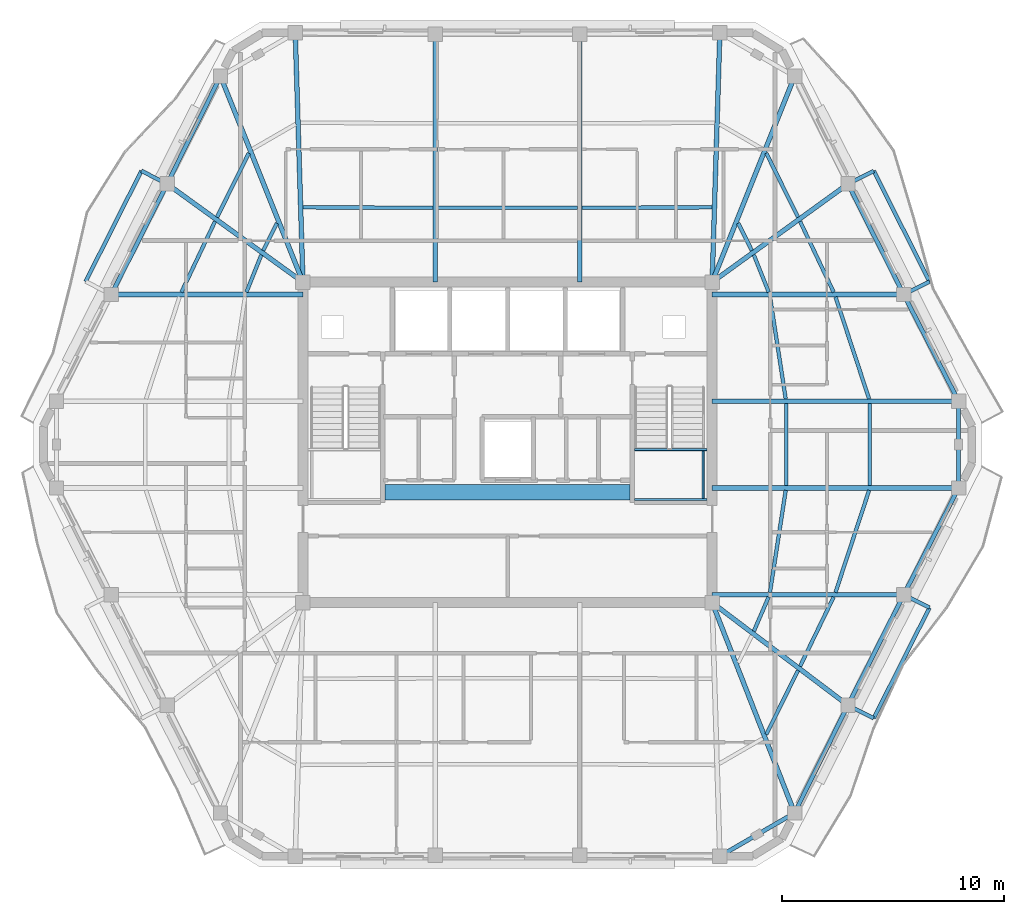
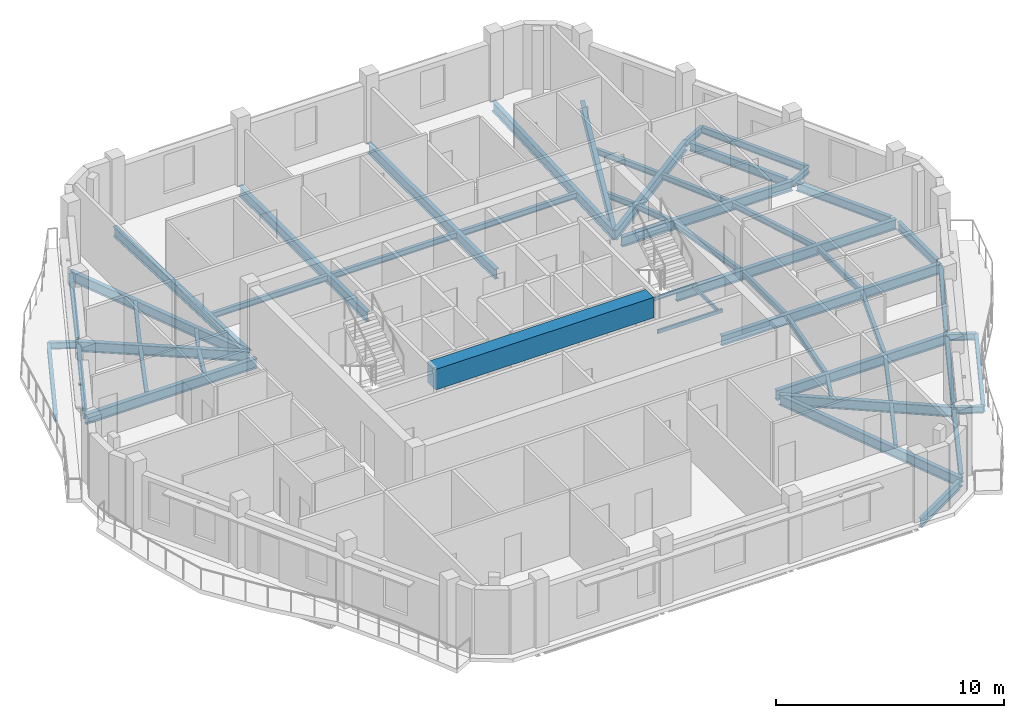
# One storey, part 2 of 11: 56 beams.
"""IFC4 building model written with IfcOpenShell, lengths in metres."""

from ifc_helpers import new_model, si_unit, direction, frame, origin, origin_2d, place, context, subcontext, project, spatial, rectangle, hollow_rectangle, i_section, extrude, material, material_profile, profile_set, type_object, element, save


model = new_model("IFC4")

# Units and contexts
model_context = context("Model", 3, precision=1e-05, world=origin(), true_north=direction((0.0, 1.0)))
body_context = subcontext(model_context, "Body", "Model", "MODEL_VIEW")
ifc_project = project(units=[si_unit("LENGTHUNIT", "METRE"), si_unit("AREAUNIT", "SQUARE_METRE"), si_unit("VOLUMEUNIT", "CUBIC_METRE"), si_unit("PLANEANGLEUNIT", "RADIAN"), si_unit("MASSUNIT", "GRAM", prefix="KILO")], contexts=[model_context])

# Site, building, storey
site_placement = place(None, origin())
site = spatial("IfcSite", under=ifc_project, at=site_placement, CompositionType="ELEMENT")
building_placement = place(site_placement, origin())
building = spatial("IfcBuilding", under=site, at=building_placement, Name="Cinnabar Lancet Tower", CompositionType="ELEMENT")
storey_placement = place(building_placement, frame((0.0, 0.0, 259.85009765625)))
storey = spatial("IfcBuildingStorey", under=building, at=storey_placement, Name="L69", CompositionType="ELEMENT", Elevation=259.85009765625)

# Beams
ifc_material_1 = material(Name="Concrete C70/85", Category="concrete")
ifc_material_profile_1 = material_profile(ifc_material_1, rectangle(XDim=0.699951171875, YDim=1.10009765625, at=origin_2d()), Name="RC-CB 700x1100")
ifc_profile_set_1 = profile_set([ifc_material_profile_1], Name="Concrete C70/85")
beam_type_1 = type_object("IfcBeamType", Name="STR-BM-CB-1100", PredefinedType="BEAM", material=ifc_profile_set_1)
beam_1_placement = place(storey_placement, frame((26.8798828125, 23.64990234375, 2.89990234375), z_axis=(1.0, 0.0, 0.0), x_axis=(0.0, 1.0, 0.0)))
element("IfcBeam", 1, at=beam_1_placement, inside=storey, type_object=beam_type_1, Name="L69 Core Coupling Beam", PredefinedType="BEAM", context=body_context, shape_type="SweptSolid", body=[
    extrude(rectangle(XDim=0.699951171875, YDim=1.10009765625, at=origin_2d()), origin(), (0.0, 0.0, 1.0), 11.0400390625),
])
ifc_material_2 = material(Name="Structural steel S355", Category="steel")
ifc_material_profile_2 = material_profile(ifc_material_2, i_section(OverallWidth=0.1650390625, OverallDepth=0.303466796875, WebThickness=0.006103515625, FlangeThickness=0.01025390625, FilletRadius=0.0087890625, at=origin_2d()), Name="UKB 305x165x40")
ifc_profile_set_2 = profile_set([ifc_material_profile_2], Name="Structural steel S355")
beam_type_2 = type_object("IfcBeamType", Name="STR-BM-JST-305", PredefinedType="JOIST", material=ifc_profile_set_2)
beam_2_placement = place(storey_placement, frame((44.06591796875, 12.73193359375, -0.35205078125), z_axis=(0.444391284604, 0.895832789179, 0.0), x_axis=(-0.895832789179, 0.444391284604, 0.0)))
element("IfcBeam", 2, at=beam_2_placement, inside=storey, type_object=beam_type_2, Name="L69 Secondary Floor Joist 15", PredefinedType="JOIST", context=body_context, shape_type="SweptSolid", body=[
    extrude(i_section(OverallWidth=0.1650390625, OverallDepth=0.303466796875, WebThickness=0.006103515625, FlangeThickness=0.01025390625, FilletRadius=0.0087890625, at=origin_2d()), origin(), (0.0, 0.0, 1.0), 3.220458984375),
])
beam_3_placement = place(storey_placement, frame((45.591064453125, 15.80810546875, -0.35205078125), z_axis=(0.43610936109, 0.899893674369, 0.0), x_axis=(-0.899893674369, 0.43610936109, 0.0)))
element("IfcBeam", 3, at=beam_3_placement, inside=storey, type_object=beam_type_2, Name="L69 Secondary Floor Joist 17", PredefinedType="JOIST", context=body_context, shape_type="SweptSolid", body=[
    extrude(i_section(OverallWidth=0.1650390625, OverallDepth=0.303466796875, WebThickness=0.006103515625, FlangeThickness=0.01025390625, FilletRadius=0.0087890625, at=origin_2d()), origin(), (0.0, 0.0, 1.0), 3.467041015625),
])
beam_4_placement = place(storey_placement, frame((43.5048828125, 17.385009765625, -0.35205078125), z_axis=(0.396302440144, 0.91812002262, 0.0), x_axis=(-0.91812002262, 0.396302440144, 0.0)))
element("IfcBeam", 4, at=beam_4_placement, inside=storey, type_object=beam_type_2, Name="L69 Secondary Floor Joist 18", PredefinedType="JOIST", context=body_context, shape_type="SweptSolid", body=[
    extrude(i_section(OverallWidth=0.1650390625, OverallDepth=0.303466796875, WebThickness=0.006103515625, FlangeThickness=0.01025390625, FilletRadius=0.0087890625, at=origin_2d()), origin(), (0.0, 0.0, 1.0), 1.6806640625),
])
beam_5_placement = place(storey_placement, frame((47.18798828125, 19.137939453125, -0.35205078125), z_axis=(0.312491145371, 0.949920672512, 0.0), x_axis=(-0.949920672512, 0.312491145371, 0.0)))
element("IfcBeam", 5, at=beam_5_placement, inside=storey, type_object=beam_type_2, Name="L69 Secondary Floor Joist 19", PredefinedType="JOIST", context=body_context, shape_type="SweptSolid", body=[
    extrude(i_section(OverallWidth=0.1650390625, OverallDepth=0.303466796875, WebThickness=0.006103515625, FlangeThickness=0.01025390625, FilletRadius=0.0087890625, at=origin_2d()), origin(), (0.0, 0.0, 1.0), 4.8447265625),
])
beam_6_placement = place(storey_placement, frame((44.23291015625, 19.137939453125, -0.35205078125), z_axis=(0.152262059154, 0.988340156698, 0.0), x_axis=(-0.988340156698, 0.152262059154, 0.0)))
element("IfcBeam", 6, at=beam_6_placement, inside=storey, type_object=beam_type_2, Name="L69 Secondary Floor Joist 20", PredefinedType="JOIST", context=body_context, shape_type="SweptSolid", body=[
    extrude(i_section(OverallWidth=0.1650390625, OverallDepth=0.303466796875, WebThickness=0.006103515625, FlangeThickness=0.01025390625, FilletRadius=0.0087890625, at=origin_2d()), origin(), (0.0, 0.0, 1.0), 4.65625),
])
for number, where, z_axis, x_axis, name in (
    (7, (48.737060546875, 23.949951171875, -0.35205078125), (0.0, 1.0, 0.0), (-1.0, 0.0, 0.0), "L69 Secondary Floor Joist 21"),
    (8, (44.958984375, 23.949951171875, -0.35205078125), (0.0, 1.0, 0.0), (-1.0, 0.0, 0.0), "L69 Secondary Floor Joist 22"),
):
    element("IfcBeam", number, at=place(storey_placement, frame(where, z_axis=z_axis, x_axis=x_axis)), inside=storey, type_object=beam_type_2, Name=name, PredefinedType="JOIST", context=body_context, shape_type="SweptSolid", body=[
        extrude(i_section(OverallWidth=0.1650390625, OverallDepth=0.303466796875, WebThickness=0.006103515625, FlangeThickness=0.01025390625, FilletRadius=0.0087890625, at=origin_2d()), origin(), (0.0, 0.0, 1.0), 3.699951171875),
    ])
beam_7_placement = place(storey_placement, frame((48.701904296875, 27.860107421875, -0.35205078125), z_axis=(-0.312506104996, 0.94991575118, 0.0), x_axis=(-0.94991575118, -0.312506104996, 0.0)))
element("IfcBeam", 9, at=beam_7_placement, inside=storey, type_object=beam_type_2, Name="L69 Secondary Floor Joist 23", PredefinedType="JOIST", context=body_context, shape_type="SweptSolid", body=[
    extrude(i_section(OverallWidth=0.1650390625, OverallDepth=0.303466796875, WebThickness=0.006103515625, FlangeThickness=0.01025390625, FilletRadius=0.0087890625, at=origin_2d()), origin(), (0.0, 0.0, 1.0), 4.844482421875),
])
beam_8_placement = place(storey_placement, frame((44.94189453125, 27.860107421875, -0.35205078125), z_axis=(-0.152269949853, 0.988338941038, 0.0), x_axis=(-0.988338941038, -0.152269949853, 0.0)))
element("IfcBeam", 10, at=beam_8_placement, inside=storey, type_object=beam_type_2, Name="L69 Secondary Floor Joist 24", PredefinedType="JOIST", context=body_context, shape_type="SweptSolid", body=[
    extrude(i_section(OverallWidth=0.1650390625, OverallDepth=0.303466796875, WebThickness=0.006103515625, FlangeThickness=0.01025390625, FilletRadius=0.0087890625, at=origin_2d()), origin(), (0.0, 0.0, 1.0), 4.656005859375),
])
beam_9_placement = place(storey_placement, frame((47.10400390625, 32.672119140625, -0.35205078125), z_axis=(-0.428647868514, 0.903471640296, 0.0), x_axis=(-0.903471640296, -0.428647868514, 0.0)))
element("IfcBeam", 11, at=beam_9_placement, inside=storey, type_object=beam_type_2, Name="L69 Secondary Floor Joist 25", PredefinedType="JOIST", context=body_context, shape_type="SweptSolid", body=[
    extrude(i_section(OverallWidth=0.1650390625, OverallDepth=0.303466796875, WebThickness=0.006103515625, FlangeThickness=0.01025390625, FilletRadius=0.0087890625, at=origin_2d()), origin(), (0.0, 0.0, 1.0), 3.53173828125),
])
beam_10_placement = place(storey_placement, frame((44.175048828125, 32.672119140625, -0.35205078125), z_axis=(-0.37155332079, 0.928411616585, 0.0), x_axis=(-0.928411616585, -0.37155332079, 0.0)))
element("IfcBeam", 12, at=beam_10_placement, inside=storey, type_object=beam_type_2, Name="L69 Secondary Floor Joist 26", PredefinedType="JOIST", context=body_context, shape_type="SweptSolid", body=[
    extrude(i_section(OverallWidth=0.1650390625, OverallDepth=0.303466796875, WebThickness=0.006103515625, FlangeThickness=0.01025390625, FilletRadius=0.0087890625, at=origin_2d()), origin(), (0.0, 0.0, 1.0), 1.8115234375),
])
beam_11_placement = place(storey_placement, frame((45.4970703125, 36.054931640625, -0.35205078125), z_axis=(-0.44427059531, 0.895892648783, 0.0), x_axis=(-0.895892648783, -0.44427059531, 0.0)))
element("IfcBeam", 13, at=beam_11_placement, inside=storey, type_object=beam_type_2, Name="L69 Secondary Floor Joist 27", PredefinedType="JOIST", context=body_context, shape_type="SweptSolid", body=[
    extrude(i_section(OverallWidth=0.1650390625, OverallDepth=0.303466796875, WebThickness=0.006103515625, FlangeThickness=0.01025390625, FilletRadius=0.0087890625, at=origin_2d()), origin(), (0.0, 0.0, 1.0), 3.221435546875),
])
beam_12_placement = place(storey_placement, frame((43.4150390625, 34.549072265625, -0.35205078125), z_axis=(-0.444661746427, 0.895698571655, 0.0), x_axis=(-0.895698571655, -0.444661746427, 0.0)))
element("IfcBeam", 14, at=beam_12_placement, inside=storey, type_object=beam_type_2, Name="L69 Secondary Floor Joist 28", PredefinedType="JOIST", context=body_context, shape_type="SweptSolid", body=[
    extrude(i_section(OverallWidth=0.1650390625, OverallDepth=0.303466796875, WebThickness=0.006103515625, FlangeThickness=0.01025390625, FilletRadius=0.0087890625, at=origin_2d()), origin(), (0.0, 0.0, 1.0), 1.378662109375),
])
beam_13_placement = place(storey_placement, frame((41.6240234375, 36.49609375, -0.35205078125), z_axis=(-0.999996226008, -0.002747356738, 0.0), x_axis=(0.002747356738, -0.999996226008, 0.0)))
element("IfcBeam", 15, at=beam_13_placement, inside=storey, type_object=beam_type_2, Name="L69 Secondary Floor Joist 31", PredefinedType="JOIST", context=body_context, shape_type="SweptSolid", body=[
    extrude(i_section(OverallWidth=0.1650390625, OverallDepth=0.303466796875, WebThickness=0.006103515625, FlangeThickness=0.01025390625, FilletRadius=0.0087890625, at=origin_2d()), origin(), (0.0, 0.0, 1.0), 5.864990234375),
])
beam_14_placement = place(storey_placement, frame((35.549072265625, 36.47998046875, -0.35205078125), z_axis=(-1.0, 0.0, 0.0), x_axis=(0.0, -1.0, 0.0)))
element("IfcBeam", 16, at=beam_14_placement, inside=storey, type_object=beam_type_2, Name="L69 Secondary Floor Joist 33", PredefinedType="JOIST", context=body_context, shape_type="SweptSolid", body=[
    extrude(i_section(OverallWidth=0.1650390625, OverallDepth=0.303466796875, WebThickness=0.006103515625, FlangeThickness=0.01025390625, FilletRadius=0.0087890625, at=origin_2d()), origin(), (0.0, 0.0, 1.0), 6.298095703125),
])
beam_15_placement = place(storey_placement, frame((29.041015625, 36.47998046875, -0.35205078125), z_axis=(-0.999996226008, 0.002747356738, 0.0), x_axis=(-0.002747356738, -0.999996226008, 0.0)))
element("IfcBeam", 17, at=beam_15_placement, inside=storey, type_object=beam_type_2, Name="L69 Secondary Floor Joist 35", PredefinedType="JOIST", context=body_context, shape_type="SweptSolid", body=[
    extrude(i_section(OverallWidth=0.1650390625, OverallDepth=0.303466796875, WebThickness=0.006103515625, FlangeThickness=0.01025390625, FilletRadius=0.0087890625, at=origin_2d()), origin(), (0.0, 0.0, 1.0), 5.864990234375),
])
beam_16_placement = place(storey_placement, frame((20.73388671875, 38.94091796875, -0.35205078125), z_axis=(-0.444209762814, -0.89592281287, 0.0), x_axis=(0.89592281287, -0.444209762814, 0.0)))
element("IfcBeam", 18, at=beam_16_placement, inside=storey, type_object=beam_type_2, Name="L69 Secondary Floor Joist 37", PredefinedType="JOIST", context=body_context, shape_type="SweptSolid", body=[
    extrude(i_section(OverallWidth=0.1650390625, OverallDepth=0.303466796875, WebThickness=0.006103515625, FlangeThickness=0.01025390625, FilletRadius=0.0087890625, at=origin_2d()), origin(), (0.0, 0.0, 1.0), 3.22119140625),
])
beam_17_placement = place(storey_placement, frame((21.998046875, 35.783935546875, -0.35205078125), z_axis=(-0.444661746427, -0.895698571655, 0.0), x_axis=(0.895698571655, -0.444661746427, 0.0)))
element("IfcBeam", 19, at=beam_17_placement, inside=storey, type_object=beam_type_2, Name="L69 Secondary Floor Joist 38", PredefinedType="JOIST", context=body_context, shape_type="SweptSolid", body=[
    extrude(i_section(OverallWidth=0.1650390625, OverallDepth=0.303466796875, WebThickness=0.006103515625, FlangeThickness=0.01025390625, FilletRadius=0.0087890625, at=origin_2d()), origin(), (0.0, 0.0, 1.0), 1.378662109375),
])
beam_18_placement = place(storey_placement, frame((19.2099609375, 35.863037109375, -0.35205078125), z_axis=(-0.428647868514, -0.903471640296, 0.0), x_axis=(0.903471640296, -0.428647868514, 0.0)))
element("IfcBeam", 20, at=beam_18_placement, inside=storey, type_object=beam_type_2, Name="L69 Secondary Floor Joist 39", PredefinedType="JOIST", context=body_context, shape_type="SweptSolid", body=[
    extrude(i_section(OverallWidth=0.1650390625, OverallDepth=0.303466796875, WebThickness=0.006103515625, FlangeThickness=0.01025390625, FilletRadius=0.0087890625, at=origin_2d()), origin(), (0.0, 0.0, 1.0), 3.53173828125),
])
beam_19_placement = place(storey_placement, frame((21.298095703125, 34.35400390625, -0.35205078125), z_axis=(-0.37155332079, -0.928411616585, 0.0), x_axis=(0.928411616585, -0.37155332079, 0.0)))
element("IfcBeam", 21, at=beam_19_placement, inside=storey, type_object=beam_type_2, Name="L69 Secondary Floor Joist 40", PredefinedType="JOIST", context=body_context, shape_type="SweptSolid", body=[
    extrude(i_section(OverallWidth=0.1650390625, OverallDepth=0.303466796875, WebThickness=0.006103515625, FlangeThickness=0.01025390625, FilletRadius=0.0087890625, at=origin_2d()), origin(), (0.0, 0.0, 1.0), 1.8115234375),
])
ifc_material_3 = material(Name="Structural steel S355", Category="steel")
ifc_material_profile_3 = material_profile(ifc_material_3, hollow_rectangle(XDim=0.10009765625, YDim=0.199951171875, WallThickness=0.008056640625, InnerFilletRadius=0.00390625, OuterFilletRadius=0.011962890625, at=origin_2d()), Name="RHS 200x100x8")
ifc_profile_set_3 = profile_set([ifc_material_profile_3], Name="Structural steel S355")
beam_type_3 = type_object("IfcBeamType", Name="STR-BM-LND-203", PredefinedType="BEAM", material=ifc_profile_set_3)
for number, where, z_axis, x_axis, name in (
    (22, (38.1201171875, 23.330078125, 1.52490234375), (1.0, 0.0, 0.0), (0.0, 1.0, 0.0), "L69 ST-2-L69 Landing Support Beam S"),
    (23, (38.1201171875, 25.570068359375, 1.52490234375), (1.0, 0.0, 0.0), (0.0, 1.0, 0.0), "L69 ST-2-L69 Landing Support Beam N"),
):
    element("IfcBeam", number, at=place(storey_placement, frame(where, z_axis=z_axis, x_axis=x_axis)), inside=storey, type_object=beam_type_3, Name=name, PredefinedType="BEAM", context=body_context, shape_type="SweptSolid", body=[
        extrude(hollow_rectangle(XDim=0.10009765625, YDim=0.199951171875, WallThickness=0.008056640625, InnerFilletRadius=0.00390625, OuterFilletRadius=0.011962890625, at=origin_2d()), origin(), (0.0, 0.0, 1.0), 3.27978515625),
    ])
beam_20_placement = place(storey_placement, frame((41.219970703125, 23.3798828125, 1.52490234375), z_axis=(0.0, 1.0, 0.0), x_axis=(-1.0, 0.0, 0.0)))
element("IfcBeam", 24, at=beam_20_placement, inside=storey, type_object=beam_type_3, Name="L69 ST-2-L69 Landing Side Trimmer Beam", PredefinedType="BEAM", context=body_context, shape_type="SweptSolid", body=[
    extrude(hollow_rectangle(XDim=0.10009765625, YDim=0.199951171875, WallThickness=0.008056640625, InnerFilletRadius=0.00390625, OuterFilletRadius=0.011962890625, at=origin_2d()), origin(), (0.0, 0.0, 1.0), 2.14013671875),
])
ifc_material_4 = material(Name="Structural steel S355", Category="steel")
ifc_material_profile_4 = material_profile(ifc_material_4, i_section(OverallWidth=0.1904296875, OverallDepth=0.45703125, WebThickness=0.009033203125, FlangeThickness=0.014404296875, FilletRadius=0.01025390625, at=origin_2d()), Name="UKB 457x191x74")
ifc_profile_set_4 = profile_set([ifc_material_profile_4], Name="Structural steel S355")
beam_type_4 = type_object("IfcBeamType", Name="STR-BM-SPN-457", PredefinedType="SPANDREL", material=ifc_profile_set_4)
beam_21_placement = place(storey_placement, frame((42.18798828125, 7.364013671875, -0.42919921875), z_axis=(0.865230894194, 0.50137361292, 0.0), x_axis=(-0.50137361292, 0.865230894194, 0.0)))
element("IfcBeam", 25, at=beam_21_placement, inside=storey, type_object=beam_type_4, Name="L69 Perimeter Spandrel 4", PredefinedType="SPANDREL", context=body_context, shape_type="SweptSolid", body=[
    extrude(i_section(OverallWidth=0.1904296875, OverallDepth=0.45703125, WebThickness=0.009033203125, FlangeThickness=0.014404296875, FilletRadius=0.01025390625, at=origin_2d()), origin(), (0.0, 0.0, 1.0), 3.39453125),
])
beam_22_placement = place(storey_placement, frame((45.451904296875, 9.4150390625, -0.42919921875), z_axis=(0.444372599207, 0.895842058107, 0.0), x_axis=(-0.895842058107, 0.444372599207, 0.0)))
element("IfcBeam", 26, at=beam_22_placement, inside=storey, type_object=beam_type_4, Name="L69 Perimeter Spandrel 5", PredefinedType="SPANDREL", context=body_context, shape_type="SweptSolid", body=[
    extrude(i_section(OverallWidth=0.1904296875, OverallDepth=0.45703125, WebThickness=0.009033203125, FlangeThickness=0.014404296875, FilletRadius=0.01025390625, at=origin_2d()), origin(), (0.0, 0.0, 1.0), 4.91943359375),
])
beam_23_placement = place(storey_placement, frame((47.862060546875, 14.26904296875, -0.42919921875), z_axis=(0.450091864122, 0.892982258419, 0.0), x_axis=(-0.892982258419, 0.450091864122, 0.0)))
element("IfcBeam", 27, at=beam_23_placement, inside=storey, type_object=beam_type_4, Name="L69 Perimeter Spandrel 6", PredefinedType="SPANDREL", context=body_context, shape_type="SweptSolid", body=[
    extrude(i_section(OverallWidth=0.1904296875, OverallDepth=0.45703125, WebThickness=0.009033203125, FlangeThickness=0.014404296875, FilletRadius=0.01025390625, at=origin_2d()), origin(), (0.0, 0.0, 1.0), 5.085205078125),
])
beam_24_placement = place(storey_placement, frame((50.3779296875, 19.2548828125, -0.42919921875), z_axis=(0.457127852293, 0.889400993174, 0.0), x_axis=(-0.889400993174, 0.457127852293, 0.0)))
element("IfcBeam", 28, at=beam_24_placement, inside=storey, type_object=beam_type_4, Name="L69 Perimeter Spandrel 7", PredefinedType="SPANDREL", context=body_context, shape_type="SweptSolid", body=[
    extrude(i_section(OverallWidth=0.1904296875, OverallDepth=0.45703125, WebThickness=0.009033203125, FlangeThickness=0.014404296875, FilletRadius=0.01025390625, at=origin_2d()), origin(), (0.0, 0.0, 1.0), 4.911376953125),
])
beam_25_placement = place(storey_placement, frame((52.737060546875, 24.094970703125, -0.42919921875), z_axis=(0.0, 1.0, 0.0), x_axis=(-1.0, 0.0, 0.0)))
element("IfcBeam", 29, at=beam_25_placement, inside=storey, type_object=beam_type_4, Name="L69 Perimeter Spandrel 8", PredefinedType="SPANDREL", context=body_context, shape_type="SweptSolid", body=[
    extrude(i_section(OverallWidth=0.1904296875, OverallDepth=0.45703125, WebThickness=0.009033203125, FlangeThickness=0.014404296875, FilletRadius=0.01025390625, at=origin_2d()), origin(), (0.0, 0.0, 1.0), 3.409912109375),
])
beam_26_placement = place(storey_placement, frame((52.623046875, 27.97705078125, -0.42919921875), z_axis=(-0.457148063427, 0.889390604912, 0.0), x_axis=(-0.889390604912, -0.457148063427, 0.0)))
element("IfcBeam", 30, at=beam_26_placement, inside=storey, type_object=beam_type_4, Name="L69 Perimeter Spandrel 9", PredefinedType="SPANDREL", context=body_context, shape_type="SweptSolid", body=[
    extrude(i_section(OverallWidth=0.1904296875, OverallDepth=0.45703125, WebThickness=0.009033203125, FlangeThickness=0.014404296875, FilletRadius=0.01025390625, at=origin_2d()), origin(), (0.0, 0.0, 1.0), 4.9111328125),
])
beam_27_placement = place(storey_placement, frame((50.15087890625, 32.7900390625, -0.42919921875), z_axis=(-0.450091864122, 0.892982258419, 0.0), x_axis=(-0.892982258419, -0.450091864122, 0.0)))
element("IfcBeam", 31, at=beam_27_placement, inside=storey, type_object=beam_type_4, Name="L69 Perimeter Spandrel 10", PredefinedType="SPANDREL", context=body_context, shape_type="SweptSolid", body=[
    extrude(i_section(OverallWidth=0.1904296875, OverallDepth=0.45703125, WebThickness=0.009033203125, FlangeThickness=0.014404296875, FilletRadius=0.01025390625, at=origin_2d()), origin(), (0.0, 0.0, 1.0), 5.085205078125),
])
beam_28_placement = place(storey_placement, frame((19.347900390625, 42.18505859375, -0.42919921875), z_axis=(-0.44433276947, -0.895861814107, 0.0), x_axis=(0.895861814107, -0.44433276947, 0.0)))
element("IfcBeam", 32, at=beam_28_placement, inside=storey, type_object=beam_type_4, Name="L69 Perimeter Spandrel 17", PredefinedType="SPANDREL", context=body_context, shape_type="SweptSolid", body=[
    extrude(i_section(OverallWidth=0.1904296875, OverallDepth=0.45703125, WebThickness=0.009033203125, FlangeThickness=0.014404296875, FilletRadius=0.01025390625, at=origin_2d()), origin(), (0.0, 0.0, 1.0), 4.919189453125),
])
beam_29_placement = place(storey_placement, frame((16.93798828125, 37.3310546875, -0.42919921875), z_axis=(-0.450130146726, -0.892962961722, 0.0), x_axis=(0.892962961722, -0.450130146726, 0.0)))
element("IfcBeam", 33, at=beam_29_placement, inside=storey, type_object=beam_type_4, Name="L69 Perimeter Spandrel 18", PredefinedType="SPANDREL", context=body_context, shape_type="SweptSolid", body=[
    extrude(i_section(OverallWidth=0.1904296875, OverallDepth=0.45703125, WebThickness=0.009033203125, FlangeThickness=0.014404296875, FilletRadius=0.01025390625, at=origin_2d()), origin(), (0.0, 0.0, 1.0), 5.08544921875),
])
ifc_material_5 = material(Name="Structural steel S355", Category="steel")
ifc_material_profile_5 = material_profile(ifc_material_5, i_section(OverallWidth=0.209228515625, OverallDepth=0.533203125, WebThickness=0.010009765625, FlangeThickness=0.015625, FilletRadius=0.0126953125, at=origin_2d()), Name="UKB 533x210x92")
ifc_profile_set_5 = profile_set([ifc_material_profile_5], Name="Structural steel S355")
beam_type_5 = type_object("IfcBeamType", Name="STR-BM-UKB533-92", PredefinedType="BEAM", material=ifc_profile_set_5)
beam_30_placement = place(storey_placement, frame((47.7490234375, 14.0458984375, -0.467041015625), z_axis=(-0.797735075719, 0.603008083667, 0.0), x_axis=(-0.603008083667, -0.797735075719, 0.0)))
element("IfcBeam", 34, at=beam_30_placement, inside=storey, type_object=beam_type_5, Name="L69 Corner Collector Girder 2", PredefinedType="BEAM", context=body_context, shape_type="SweptSolid", body=[
    extrude(i_section(OverallWidth=0.209228515625, OverallDepth=0.533203125, WebThickness=0.010009765625, FlangeThickness=0.015625, FilletRadius=0.0126953125, at=origin_2d()), origin(), (0.0, 0.0, 1.0), 7.6767578125),
])
for number, where, z_axis, x_axis, name in (
    (35, (47.7490234375, 37.553955078125, -0.467041015625), (-0.810299148474, -0.586016458797, 0.0), (0.586016458797, -0.810299148474, 0.0), "L69 Corner Collector Girder 3"),
    (36, (17.051025390625, 37.553955078125, -0.467041015625), (0.810299148474, -0.586016458797, 0.0), (0.586016458797, 0.810299148474, 0.0), "L69 Corner Collector Girder 4"),
):
    element("IfcBeam", number, at=place(storey_placement, frame(where, z_axis=z_axis, x_axis=x_axis)), inside=storey, type_object=beam_type_5, Name=name, PredefinedType="BEAM", context=body_context, shape_type="SweptSolid", body=[
        extrude(i_section(OverallWidth=0.209228515625, OverallDepth=0.533203125, WebThickness=0.010009765625, FlangeThickness=0.015625, FilletRadius=0.0126953125, at=origin_2d()), origin(), (0.0, 0.0, 1.0), 7.5576171875),
    ])
beam_31_placement = place(storey_placement, frame((45.341064453125, 9.19091796875, -0.467041015625), z_axis=(-0.364815017375, 0.931080019707, 0.0), x_axis=(-0.931080019707, -0.364815017375, 0.0)))
element("IfcBeam", 37, at=beam_31_placement, inside=storey, type_object=beam_type_5, Name="L69 Primary Floor Girder 5", PredefinedType="BEAM", context=body_context, shape_type="SweptSolid", body=[
    extrude(i_section(OverallWidth=0.209228515625, OverallDepth=0.533203125, WebThickness=0.010009765625, FlangeThickness=0.015625, FilletRadius=0.0126953125, at=origin_2d()), origin(), (0.0, 0.0, 1.0), 10.186279296875),
])
beam_32_placement = place(storey_placement, frame((50.263916015625, 19.032958984375, -0.467041015625), z_axis=(-1.0, 0.0, 0.0), x_axis=(0.0, -1.0, 0.0)))
element("IfcBeam", 38, at=beam_32_placement, inside=storey, type_object=beam_type_5, Name="L69 Primary Floor Girder 7", PredefinedType="BEAM", context=body_context, shape_type="SweptSolid", body=[
    extrude(i_section(OverallWidth=0.209228515625, OverallDepth=0.533203125, WebThickness=0.010009765625, FlangeThickness=0.015625, FilletRadius=0.0126953125, at=origin_2d()), origin(), (0.0, 0.0, 1.0), 8.638916015625),
])
for number, where, z_axis, x_axis, name in (
    (39, (52.737060546875, 23.844970703125, -0.467041015625), (-1.0, 0.0, 0.0), (0.0, -1.0, 0.0), "L69 Primary Floor Girder 8"),
    (40, (52.737060546875, 27.7548828125, -0.467041015625), (-1.0, 0.0, 0.0), (0.0, -1.0, 0.0), "L69 Primary Floor Girder 9"),
):
    element("IfcBeam", number, at=place(storey_placement, frame(where, z_axis=z_axis, x_axis=x_axis)), inside=storey, type_object=beam_type_5, Name=name, PredefinedType="BEAM", context=body_context, shape_type="SweptSolid", body=[
        extrude(i_section(OverallWidth=0.209228515625, OverallDepth=0.533203125, WebThickness=0.010009765625, FlangeThickness=0.015625, FilletRadius=0.0126953125, at=origin_2d()), origin(), (0.0, 0.0, 1.0), 11.112060546875),
    ])
beam_33_placement = place(storey_placement, frame((50.263916015625, 32.56689453125, -0.467041015625), z_axis=(-1.0, 0.0, 0.0), x_axis=(0.0, -1.0, 0.0)))
element("IfcBeam", 41, at=beam_33_placement, inside=storey, type_object=beam_type_5, Name="L69 Primary Floor Girder 10", PredefinedType="BEAM", context=body_context, shape_type="SweptSolid", body=[
    extrude(i_section(OverallWidth=0.209228515625, OverallDepth=0.533203125, WebThickness=0.010009765625, FlangeThickness=0.015625, FilletRadius=0.0126953125, at=origin_2d()), origin(), (0.0, 0.0, 1.0), 8.638916015625),
])
beam_34_placement = place(storey_placement, frame((45.341064453125, 42.408935546875, -0.467041015625), z_axis=(-0.371605341166, -0.928390796172, 0.0), x_axis=(0.928390796172, -0.371605341166, 0.0)))
element("IfcBeam", 42, at=beam_34_placement, inside=storey, type_object=beam_type_5, Name="L69 Primary Floor Girder 12", PredefinedType="BEAM", context=body_context, shape_type="SweptSolid", body=[
    extrude(i_section(OverallWidth=0.209228515625, OverallDepth=0.533203125, WebThickness=0.010009765625, FlangeThickness=0.015625, FilletRadius=0.0126953125, at=origin_2d()), origin(), (0.0, 0.0, 1.0), 10.0),
])
beam_35_placement = place(storey_placement, frame((41.971923828125, 44.361083984375, -0.467041015625), z_axis=(-0.030861159652, -0.999523680973, 0.0), x_axis=(0.999523680973, -0.030861159652, 0.0)))
element("IfcBeam", 43, at=beam_35_placement, inside=storey, type_object=beam_type_5, Name="L69 Primary Floor Girder 13", PredefinedType="BEAM", context=body_context, shape_type="SweptSolid", body=[
    extrude(i_section(OverallWidth=0.209228515625, OverallDepth=0.533203125, WebThickness=0.010009765625, FlangeThickness=0.015625, FilletRadius=0.0126953125, at=origin_2d()), origin(), (0.0, 0.0, 1.0), 11.241455078125),
])
for number, where, z_axis, x_axis, name in (
    (44, (35.654052734375, 44.30810546875, -0.467041015625), (0.0, -1.0, 0.0), (1.0, 0.0, 0.0), "L69 Primary Floor Girder 14"),
    (45, (29.14599609375, 44.30810546875, -0.467041015625), (0.0, -1.0, 0.0), (1.0, 0.0, 0.0), "L69 Primary Floor Girder 15"),
):
    element("IfcBeam", number, at=place(storey_placement, frame(where, z_axis=z_axis, x_axis=x_axis)), inside=storey, type_object=beam_type_5, Name=name, PredefinedType="BEAM", context=body_context, shape_type="SweptSolid", body=[
        extrude(i_section(OverallWidth=0.209228515625, OverallDepth=0.533203125, WebThickness=0.010009765625, FlangeThickness=0.015625, FilletRadius=0.0126953125, at=origin_2d()), origin(), (0.0, 0.0, 1.0), 11.18310546875),
    ])
beam_36_placement = place(storey_placement, frame((22.827880859375, 44.361083984375, -0.467041015625), z_axis=(0.030882856862, -0.999523010817, 0.0), x_axis=(0.999523010817, 0.030882856862, 0.0)))
element("IfcBeam", 46, at=beam_36_placement, inside=storey, type_object=beam_type_5, Name="L69 Primary Floor Girder 16", PredefinedType="BEAM", context=body_context, shape_type="SweptSolid", body=[
    extrude(i_section(OverallWidth=0.209228515625, OverallDepth=0.533203125, WebThickness=0.010009765625, FlangeThickness=0.015625, FilletRadius=0.0126953125, at=origin_2d()), origin(), (0.0, 0.0, 1.0), 11.241455078125),
])
beam_37_placement = place(storey_placement, frame((19.458984375, 42.408935546875, -0.467041015625), z_axis=(0.371605341166, -0.928390796172, 0.0), x_axis=(0.928390796172, 0.371605341166, 0.0)))
element("IfcBeam", 47, at=beam_37_placement, inside=storey, type_object=beam_type_5, Name="L69 Primary Floor Girder 17", PredefinedType="BEAM", context=body_context, shape_type="SweptSolid", body=[
    extrude(i_section(OverallWidth=0.209228515625, OverallDepth=0.533203125, WebThickness=0.010009765625, FlangeThickness=0.015625, FilletRadius=0.0126953125, at=origin_2d()), origin(), (0.0, 0.0, 1.0), 10.0),
])
beam_38_placement = place(storey_placement, frame((14.535888671875, 32.56689453125, -0.467041015625), z_axis=(1.0, 0.0, 0.0), x_axis=(0.0, 1.0, 0.0)))
element("IfcBeam", 48, at=beam_38_placement, inside=storey, type_object=beam_type_5, Name="L69 Primary Floor Girder 19", PredefinedType="BEAM", context=body_context, shape_type="SweptSolid", body=[
    extrude(i_section(OverallWidth=0.209228515625, OverallDepth=0.533203125, WebThickness=0.010009765625, FlangeThickness=0.015625, FilletRadius=0.0126953125, at=origin_2d()), origin(), (0.0, 0.0, 1.0), 8.63916015625),
])
ifc_material_6 = material(Name="Structural steel S355", Category="steel")
ifc_material_profile_6 = material_profile(ifc_material_6, i_section(OverallWidth=0.17138671875, OverallDepth=0.35498046875, WebThickness=0.00732421875, FlangeThickness=0.011474609375, FilletRadius=0.01025390625, at=origin_2d()), Name="UKB 356x171x51")
ifc_profile_set_6 = profile_set([ifc_material_profile_6], Name="Structural steel S355")
beam_type_6 = type_object("IfcBeamType", Name="STR-BM-WAV-OUT", PredefinedType="BEAM", material=ifc_profile_set_6)
for number, where, z_axis, x_axis, name in (
    (49, (47.7490234375, 14.0458984375, -0.398193359375), (0.89227592947, -0.451490493464, 0.0), (0.451490493464, 0.89227592947, 0.0), "L69 Face 2 Balcony Outlooker A"),
    (50, (50.263916015625, 19.032958984375, -0.398193359375), (0.892314203325, -0.451414845285, 0.0), (0.451414845285, 0.892314203325, 0.0), "L69 Face 2 Balcony Outlooker B"),
):
    element("IfcBeam", number, at=place(storey_placement, frame(where, z_axis=z_axis, x_axis=x_axis)), inside=storey, type_object=beam_type_6, Name=name, PredefinedType="BEAM", context=body_context, shape_type="SweptSolid", body=[
        extrude(i_section(OverallWidth=0.17138671875, OverallDepth=0.35498046875, WebThickness=0.00732421875, FlangeThickness=0.011474609375, FilletRadius=0.01025390625, at=origin_2d()), origin(), (0.0, 0.0, 1.0), 1.300048828125),
    ])
beam_39_placement = place(storey_placement, frame((50.263916015625, 32.56689453125, -0.398193359375), z_axis=(0.892238560088, 0.451564338597, 0.0), x_axis=(-0.451564338597, 0.892238560088, 0.0)))
element("IfcBeam", 51, at=beam_39_placement, inside=storey, type_object=beam_type_6, Name="L69 Face 3 Balcony Outlooker A", PredefinedType="BEAM", context=body_context, shape_type="SweptSolid", body=[
    extrude(i_section(OverallWidth=0.17138671875, OverallDepth=0.35498046875, WebThickness=0.00732421875, FlangeThickness=0.011474609375, FilletRadius=0.01025390625, at=origin_2d()), origin(), (0.0, 0.0, 1.0), 1.30029296875),
])
for number, where, z_axis, x_axis, name in (
    (52, (47.7490234375, 37.553955078125, -0.398193359375), (0.892200264127, 0.451639998995, 0.0), (-0.451639998995, 0.892200264127, 0.0), "L69 Face 3 Balcony Outlooker B"),
    (53, (17.051025390625, 37.553955078125, -0.398193359375), (-0.892200264127, 0.451639998995, 0.0), (-0.451639998995, -0.892200264127, 0.0), "L69 Face 5 Balcony Outlooker A"),
):
    element("IfcBeam", number, at=place(storey_placement, frame(where, z_axis=z_axis, x_axis=x_axis)), inside=storey, type_object=beam_type_6, Name=name, PredefinedType="BEAM", context=body_context, shape_type="SweptSolid", body=[
        extrude(i_section(OverallWidth=0.17138671875, OverallDepth=0.35498046875, WebThickness=0.00732421875, FlangeThickness=0.011474609375, FilletRadius=0.01025390625, at=origin_2d()), origin(), (0.0, 0.0, 1.0), 1.300048828125),
    ])
ifc_material_7 = material(Name="Structural steel S355", Category="steel")
ifc_material_profile_7 = material_profile(ifc_material_7, i_section(OverallWidth=0.17138671875, OverallDepth=0.35498046875, WebThickness=0.00732421875, FlangeThickness=0.011474609375, FilletRadius=0.01025390625, at=origin_2d()), Name="UKB 356x171x51")
ifc_profile_set_7 = profile_set([ifc_material_profile_7], Name="Structural steel S355")
beam_type_7 = type_object("IfcBeamType", Name="STR-BM-WAV-TRIM", PredefinedType="SPANDREL", material=ifc_profile_set_7)
for number, where, z_axis, x_axis, name in (
    (54, (48.908935546875, 13.458984375, -0.398193359375), (0.450305622338, 0.892874485295, 0.0), (-0.892874485295, 0.450305622338, 0.0), "L69 Face 2 Balcony Edge Trimmer"),
    (55, (51.424072265625, 33.154052734375, -0.398193359375), (-0.450305622338, 0.892874485295, 0.0), (-0.892874485295, -0.450305622338, 0.0), "L69 Face 3 Balcony Edge Trimmer"),
    (56, (15.89111328125, 38.14111328125, -0.398193359375), (-0.450305622338, -0.892874485295, 0.0), (0.892874485295, -0.450305622338, 0.0), "L69 Face 5 Balcony Edge Trimmer"),
):
    element("IfcBeam", number, at=place(storey_placement, frame(where, z_axis=z_axis, x_axis=x_axis)), inside=storey, type_object=beam_type_7, Name=name, PredefinedType="SPANDREL", context=body_context, shape_type="SweptSolid", body=[
        extrude(i_section(OverallWidth=0.17138671875, OverallDepth=0.35498046875, WebThickness=0.00732421875, FlangeThickness=0.011474609375, FilletRadius=0.01025390625, at=origin_2d()), origin(), (0.0, 0.0, 1.0), 5.58544921875),
    ])

save(model, "model.ifc")
